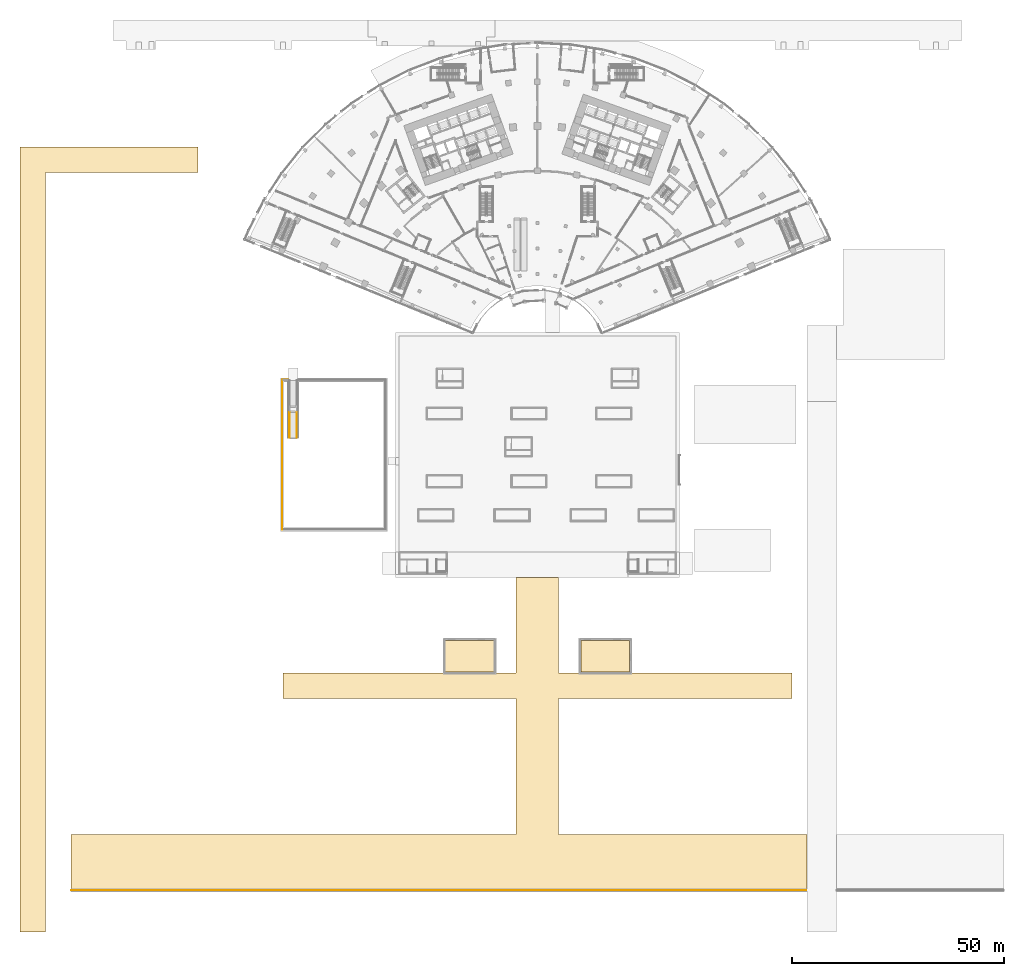
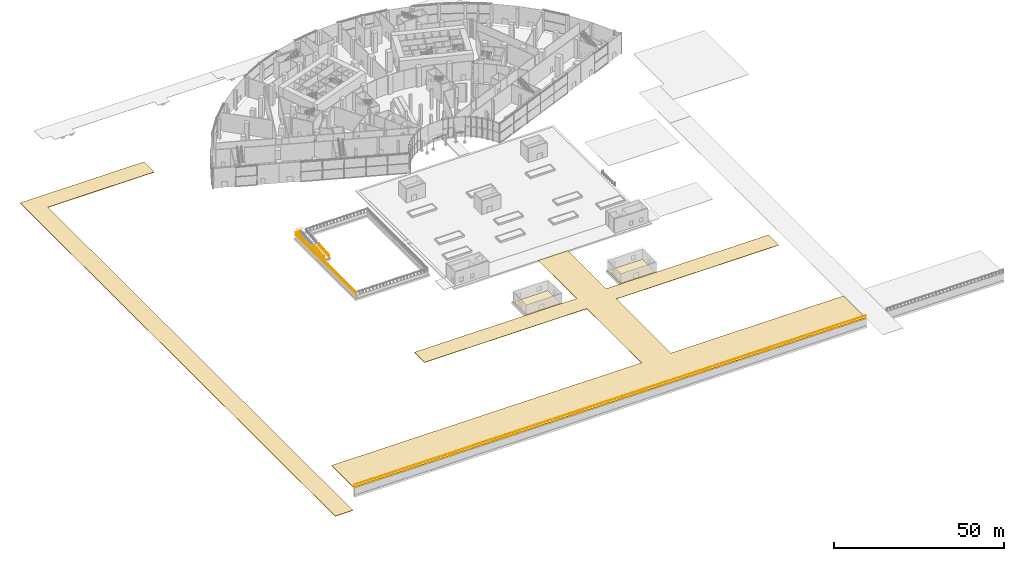
# One storey, part 42 of 60: 6 railings, 4 coverings.
"""IFC4 building model written with IfcOpenShell, lengths in metres."""

from ifc_helpers import new_model, si_unit, direction, frame, origin, origin_2d, place, context, subcontext, project, spatial, polyline, circle, outline, extrude, material, layer, layer_set, type_object, element, save


model = new_model("IFC4")

# Units and contexts
model_context = context("Model", 3, precision=1e-05, world=origin(), true_north=direction((0.0, 1.0)))
body_context = subcontext(model_context, "Body", "Model", "MODEL_VIEW")
ifc_project = project(units=[si_unit("LENGTHUNIT", "METRE"), si_unit("AREAUNIT", "SQUARE_METRE"), si_unit("VOLUMEUNIT", "CUBIC_METRE"), si_unit("PLANEANGLEUNIT", "RADIAN"), si_unit("MASSUNIT", "GRAM", prefix="KILO")], contexts=[model_context])

# Site, building, storey
site_placement = place(None, origin())
site = spatial("IfcSite", under=ifc_project, at=site_placement, CompositionType="ELEMENT")
building_placement = place(site_placement, origin())
building = spatial("IfcBuilding", under=site, at=building_placement, Name="Stone Belt Terrace Tower", CompositionType="ELEMENT")
storey_placement = place(building_placement, origin())
storey = spatial("IfcBuildingStorey", under=building, at=storey_placement, Name="L00", CompositionType="ELEMENT", Elevation=0.0)

# Railings
ifc_material_1 = material(Name="Structural steel C345", Category="steel")
railing_type_1 = type_object("IfcRailingType", Name="Garden guard 1100", PredefinedType="GUARDRAIL", material=ifc_material_1)
for number, where, name in (
    (1, (-58.449951171875, -12.5, -0.5), "Rain garden court ramp guard"),
    (2, (-56.75, -12.5, -0.5), "Rain garden court ramp guard"),
):
    element("IfcRailing", number, at=place(storey_placement, frame(where)), inside=storey, type_object=railing_type_1, Name=name, PredefinedType="GUARDRAIL", context=body_context, shape_type="SweptSolid", body=[
        extrude(circle(Radius=0.02392578125, at=origin_2d()), frame((0.0, 0.0, 1.076171875), z_axis=(0.0, -0.996545758245, -0.083045479854), x_axis=(1.0, 0.0, 0.0)), (0.0, 0.0, 1.0), 6.020751953125),
        extrude(circle(Radius=0.02099609375, at=origin_2d()), origin(), (0.0, 0.0, 1.0), 1.052001953125),
        extrude(circle(Radius=0.02099609375, at=origin_2d()), frame((0.0, -1.0, -0.083251953125)), (0.0, 0.0, 1.0), 1.052001953125),
        extrude(circle(Radius=0.02099609375, at=origin_2d()), frame((0.0, -2.0, -0.166748046875)), (0.0, 0.0, 1.0), 1.052001953125),
        extrude(circle(Radius=0.02099609375, at=origin_2d()), frame((0.0, -3.0, -0.25)), (0.0, 0.0, 1.0), 1.052001953125),
        extrude(circle(Radius=0.02099609375, at=origin_2d()), frame((0.0, -4.0, -0.333251953125)), (0.0, 0.0, 1.0), 1.052001953125),
        extrude(circle(Radius=0.02099609375, at=origin_2d()), frame((0.0, -5.0, -0.416748046875)), (0.0, 0.0, 1.0), 1.052001953125),
        extrude(circle(Radius=0.02099609375, at=origin_2d()), frame((0.0, -6.0, -0.5)), (0.0, 0.0, 1.0), 1.052001953125),
    ])
railing_1_placement = place(storey_placement, frame((-58.800048828125, -4.85009765625, 0.0)))
element("IfcRailing", 3, at=railing_1_placement, inside=storey, type_object=railing_type_1, Name="Rain garden court guard", PredefinedType="GUARDRAIL", context=body_context, shape_type="SweptSolid", body=[
    extrude(circle(Radius=0.02392578125, at=origin_2d()), frame((0.0, 0.0, 1.076171875), z_axis=(-1.0, 0.0, 0.0), x_axis=(0.0, -1.0, 0.0)), (0.0, 0.0, 1.0), 1.349853515625),
    extrude(circle(Radius=0.02392578125, at=origin_2d()), frame((-1.349853515625, 0.0, 1.076171875), z_axis=(0.0, -1.0, 0.0), x_axis=(1.0, 0.0, 0.0)), (0.0, 0.0, 1.0), 35.2998046875),
    extrude(circle(Radius=0.02099609375, at=origin_2d()), origin(), (0.0, 0.0, 1.0), 1.052001953125),
    extrude(circle(Radius=0.02099609375, at=origin_2d()), frame((-0.6748046875, 0.0, 0.0)), (0.0, 0.0, 1.0), 1.052001953125),
    extrude(circle(Radius=0.02099609375, at=origin_2d()), frame((-1.349853515625, 0.0, 0.0)), (0.0, 0.0, 1.0), 1.052001953125),
    extrude(circle(Radius=0.02099609375, at=origin_2d()), frame((-1.349853515625, -1.1767578125, 0.0)), (0.0, 0.0, 1.0), 1.052001953125),
    extrude(circle(Radius=0.02099609375, at=origin_2d()), frame((-1.349853515625, -2.353271484375, 0.0)), (0.0, 0.0, 1.0), 1.052001953125),
    extrude(circle(Radius=0.02099609375, at=origin_2d()), frame((-1.349853515625, -3.530029296875, 0.0)), (0.0, 0.0, 1.0), 1.052001953125),
    extrude(circle(Radius=0.02099609375, at=origin_2d()), frame((-1.349853515625, -4.70654296875, 0.0)), (0.0, 0.0, 1.0), 1.052001953125),
    extrude(circle(Radius=0.02099609375, at=origin_2d()), frame((-1.349853515625, -5.88330078125, 0.0)), (0.0, 0.0, 1.0), 1.052001953125),
    extrude(circle(Radius=0.02099609375, at=origin_2d()), frame((-1.349853515625, -7.06005859375, 0.0)), (0.0, 0.0, 1.0), 1.052001953125),
    extrude(circle(Radius=0.02099609375, at=origin_2d()), frame((-1.349853515625, -8.236572265625, 0.0)), (0.0, 0.0, 1.0), 1.052001953125),
    extrude(circle(Radius=0.02099609375, at=origin_2d()), frame((-1.349853515625, -9.413330078125, 0.0)), (0.0, 0.0, 1.0), 1.052001953125),
    extrude(circle(Radius=0.02099609375, at=origin_2d()), frame((-1.349853515625, -10.58984375, 0.0)), (0.0, 0.0, 1.0), 1.052001953125),
    extrude(circle(Radius=0.02099609375, at=origin_2d()), frame((-1.349853515625, -11.7666015625, 0.0)), (0.0, 0.0, 1.0), 1.052001953125),
    extrude(circle(Radius=0.02099609375, at=origin_2d()), frame((-1.349853515625, -12.943359375, 0.0)), (0.0, 0.0, 1.0), 1.052001953125),
    extrude(circle(Radius=0.02099609375, at=origin_2d()), frame((-1.349853515625, -14.119873046875, 0.0)), (0.0, 0.0, 1.0), 1.052001953125),
    extrude(circle(Radius=0.02099609375, at=origin_2d()), frame((-1.349853515625, -15.296630859375, 0.0)), (0.0, 0.0, 1.0), 1.052001953125),
    extrude(circle(Radius=0.02099609375, at=origin_2d()), frame((-1.349853515625, -16.47314453125, 0.0)), (0.0, 0.0, 1.0), 1.052001953125),
    extrude(circle(Radius=0.02099609375, at=origin_2d()), frame((-1.349853515625, -17.64990234375, 0.0)), (0.0, 0.0, 1.0), 1.052001953125),
    extrude(circle(Radius=0.02099609375, at=origin_2d()), frame((-1.349853515625, -18.82666015625, 0.0)), (0.0, 0.0, 1.0), 1.052001953125),
    extrude(circle(Radius=0.02099609375, at=origin_2d()), frame((-1.349853515625, -20.003173828125, 0.0)), (0.0, 0.0, 1.0), 1.052001953125),
    extrude(circle(Radius=0.02099609375, at=origin_2d()), frame((-1.349853515625, -21.179931640625, 0.0)), (0.0, 0.0, 1.0), 1.052001953125),
    extrude(circle(Radius=0.02099609375, at=origin_2d()), frame((-1.349853515625, -22.3564453125, 0.0)), (0.0, 0.0, 1.0), 1.052001953125),
    extrude(circle(Radius=0.02099609375, at=origin_2d()), frame((-1.349853515625, -23.533203125, 0.0)), (0.0, 0.0, 1.0), 1.052001953125),
    extrude(circle(Radius=0.02099609375, at=origin_2d()), frame((-1.349853515625, -24.7099609375, 0.0)), (0.0, 0.0, 1.0), 1.052001953125),
    extrude(circle(Radius=0.02099609375, at=origin_2d()), frame((-1.349853515625, -25.886474609375, 0.0)), (0.0, 0.0, 1.0), 1.052001953125),
    extrude(circle(Radius=0.02099609375, at=origin_2d()), frame((-1.349853515625, -27.063232421875, 0.0)), (0.0, 0.0, 1.0), 1.052001953125),
    extrude(circle(Radius=0.02099609375, at=origin_2d()), frame((-1.349853515625, -28.23974609375, 0.0)), (0.0, 0.0, 1.0), 1.052001953125),
    extrude(circle(Radius=0.02099609375, at=origin_2d()), frame((-1.349853515625, -29.41650390625, 0.0)), (0.0, 0.0, 1.0), 1.052001953125),
    extrude(circle(Radius=0.02099609375, at=origin_2d()), frame((-1.349853515625, -30.59326171875, 0.0)), (0.0, 0.0, 1.0), 1.052001953125),
    extrude(circle(Radius=0.02099609375, at=origin_2d()), frame((-1.349853515625, -31.769775390625, 0.0)), (0.0, 0.0, 1.0), 1.052001953125),
    extrude(circle(Radius=0.02099609375, at=origin_2d()), frame((-1.349853515625, -32.946533203125, 0.0)), (0.0, 0.0, 1.0), 1.052001953125),
    extrude(circle(Radius=0.02099609375, at=origin_2d()), frame((-1.349853515625, -34.123046875, 0.0)), (0.0, 0.0, 1.0), 1.052001953125),
    extrude(circle(Radius=0.02099609375, at=origin_2d()), frame((-1.349853515625, -35.2998046875, 0.0)), (0.0, 0.0, 1.0), 1.052001953125),
])
railing_2_placement = place(storey_placement, frame((-109.89990234375, -125.199951171875, 0.0)))
element("IfcRailing", 4, at=railing_2_placement, inside=storey, type_object=railing_type_1, Name="Embankment promenade guard", PredefinedType="GUARDRAIL", context=body_context, shape_type="SweptSolid", body=[
    extrude(circle(Radius=0.02392578125, at=origin_2d()), frame((0.0, 0.0, 1.076171875), z_axis=(1.0, 0.0, 0.0), x_axis=(0.0, 1.0, 0.0)), (0.0, 0.0, 1.0), 173.2998046875),
    extrude(circle(Radius=0.02099609375, at=origin_2d()), origin(), (0.0, 0.0, 1.0), 1.052001953125),
    extrude(circle(Radius=0.02099609375, at=origin_2d()), frame((1.195068359375, 0.0, 0.0)), (0.0, 0.0, 1.0), 1.052001953125),
    extrude(circle(Radius=0.02099609375, at=origin_2d()), frame((2.390380859375, 0.0, 0.0)), (0.0, 0.0, 1.0), 1.052001953125),
    extrude(circle(Radius=0.02099609375, at=origin_2d()), frame((3.58544921875, 0.0, 0.0)), (0.0, 0.0, 1.0), 1.052001953125),
    extrude(circle(Radius=0.02099609375, at=origin_2d()), frame((4.78076171875, 0.0, 0.0)), (0.0, 0.0, 1.0), 1.052001953125),
    extrude(circle(Radius=0.02099609375, at=origin_2d()), frame((5.975830078125, 0.0, 0.0)), (0.0, 0.0, 1.0), 1.052001953125),
    extrude(circle(Radius=0.02099609375, at=origin_2d()), frame((7.171142578125, 0.0, 0.0)), (0.0, 0.0, 1.0), 1.052001953125),
    extrude(circle(Radius=0.02099609375, at=origin_2d()), frame((8.3662109375, 0.0, 0.0)), (0.0, 0.0, 1.0), 1.052001953125),
    extrude(circle(Radius=0.02099609375, at=origin_2d()), frame((9.561279296875, 0.0, 0.0)), (0.0, 0.0, 1.0), 1.052001953125),
    extrude(circle(Radius=0.02099609375, at=origin_2d()), frame((10.756591796875, 0.0, 0.0)), (0.0, 0.0, 1.0), 1.052001953125),
    extrude(circle(Radius=0.02099609375, at=origin_2d()), frame((11.95166015625, 0.0, 0.0)), (0.0, 0.0, 1.0), 1.052001953125),
    extrude(circle(Radius=0.02099609375, at=origin_2d()), frame((13.14697265625, 0.0, 0.0)), (0.0, 0.0, 1.0), 1.052001953125),
    extrude(circle(Radius=0.02099609375, at=origin_2d()), frame((14.342041015625, 0.0, 0.0)), (0.0, 0.0, 1.0), 1.052001953125),
    extrude(circle(Radius=0.02099609375, at=origin_2d()), frame((15.537109375, 0.0, 0.0)), (0.0, 0.0, 1.0), 1.052001953125),
    extrude(circle(Radius=0.02099609375, at=origin_2d()), frame((16.732421875, 0.0, 0.0)), (0.0, 0.0, 1.0), 1.052001953125),
    extrude(circle(Radius=0.02099609375, at=origin_2d()), frame((17.927490234375, 0.0, 0.0)), (0.0, 0.0, 1.0), 1.052001953125),
    extrude(circle(Radius=0.02099609375, at=origin_2d()), frame((19.122802734375, 0.0, 0.0)), (0.0, 0.0, 1.0), 1.052001953125),
    extrude(circle(Radius=0.02099609375, at=origin_2d()), frame((20.31787109375, 0.0, 0.0)), (0.0, 0.0, 1.0), 1.052001953125),
    extrude(circle(Radius=0.02099609375, at=origin_2d()), frame((21.51318359375, 0.0, 0.0)), (0.0, 0.0, 1.0), 1.052001953125),
    extrude(circle(Radius=0.02099609375, at=origin_2d()), frame((22.708251953125, 0.0, 0.0)), (0.0, 0.0, 1.0), 1.052001953125),
    extrude(circle(Radius=0.02099609375, at=origin_2d()), frame((23.9033203125, 0.0, 0.0)), (0.0, 0.0, 1.0), 1.052001953125),
    extrude(circle(Radius=0.02099609375, at=origin_2d()), frame((25.0986328125, 0.0, 0.0)), (0.0, 0.0, 1.0), 1.052001953125),
    extrude(circle(Radius=0.02099609375, at=origin_2d()), frame((26.293701171875, 0.0, 0.0)), (0.0, 0.0, 1.0), 1.052001953125),
    extrude(circle(Radius=0.02099609375, at=origin_2d()), frame((27.489013671875, 0.0, 0.0)), (0.0, 0.0, 1.0), 1.052001953125),
    extrude(circle(Radius=0.02099609375, at=origin_2d()), frame((28.68408203125, 0.0, 0.0)), (0.0, 0.0, 1.0), 1.052001953125),
    extrude(circle(Radius=0.02099609375, at=origin_2d()), frame((29.87939453125, 0.0, 0.0)), (0.0, 0.0, 1.0), 1.052001953125),
    extrude(circle(Radius=0.02099609375, at=origin_2d()), frame((31.074462890625, 0.0, 0.0)), (0.0, 0.0, 1.0), 1.052001953125),
    extrude(circle(Radius=0.02099609375, at=origin_2d()), frame((32.26953125, 0.0, 0.0)), (0.0, 0.0, 1.0), 1.052001953125),
    extrude(circle(Radius=0.02099609375, at=origin_2d()), frame((33.46484375, 0.0, 0.0)), (0.0, 0.0, 1.0), 1.052001953125),
    extrude(circle(Radius=0.02099609375, at=origin_2d()), frame((34.659912109375, 0.0, 0.0)), (0.0, 0.0, 1.0), 1.052001953125),
    extrude(circle(Radius=0.02099609375, at=origin_2d()), frame((35.855224609375, 0.0, 0.0)), (0.0, 0.0, 1.0), 1.052001953125),
    extrude(circle(Radius=0.02099609375, at=origin_2d()), frame((37.05029296875, 0.0, 0.0)), (0.0, 0.0, 1.0), 1.052001953125),
    extrude(circle(Radius=0.02099609375, at=origin_2d()), frame((38.245361328125, 0.0, 0.0)), (0.0, 0.0, 1.0), 1.052001953125),
    extrude(circle(Radius=0.02099609375, at=origin_2d()), frame((39.440673828125, 0.0, 0.0)), (0.0, 0.0, 1.0), 1.052001953125),
    extrude(circle(Radius=0.02099609375, at=origin_2d()), frame((40.6357421875, 0.0, 0.0)), (0.0, 0.0, 1.0), 1.052001953125),
    extrude(circle(Radius=0.02099609375, at=origin_2d()), frame((41.8310546875, 0.0, 0.0)), (0.0, 0.0, 1.0), 1.052001953125),
    extrude(circle(Radius=0.02099609375, at=origin_2d()), frame((43.026123046875, 0.0, 0.0)), (0.0, 0.0, 1.0), 1.052001953125),
    extrude(circle(Radius=0.02099609375, at=origin_2d()), frame((44.221435546875, 0.0, 0.0)), (0.0, 0.0, 1.0), 1.052001953125),
    extrude(circle(Radius=0.02099609375, at=origin_2d()), frame((45.41650390625, 0.0, 0.0)), (0.0, 0.0, 1.0), 1.052001953125),
    extrude(circle(Radius=0.02099609375, at=origin_2d()), frame((46.611572265625, 0.0, 0.0)), (0.0, 0.0, 1.0), 1.052001953125),
    extrude(circle(Radius=0.02099609375, at=origin_2d()), frame((47.806884765625, 0.0, 0.0)), (0.0, 0.0, 1.0), 1.052001953125),
    extrude(circle(Radius=0.02099609375, at=origin_2d()), frame((49.001953125, 0.0, 0.0)), (0.0, 0.0, 1.0), 1.052001953125),
    extrude(circle(Radius=0.02099609375, at=origin_2d()), frame((50.197265625, 0.0, 0.0)), (0.0, 0.0, 1.0), 1.052001953125),
    extrude(circle(Radius=0.02099609375, at=origin_2d()), frame((51.392333984375, 0.0, 0.0)), (0.0, 0.0, 1.0), 1.052001953125),
    extrude(circle(Radius=0.02099609375, at=origin_2d()), frame((52.587646484375, 0.0, 0.0)), (0.0, 0.0, 1.0), 1.052001953125),
    extrude(circle(Radius=0.02099609375, at=origin_2d()), frame((53.78271484375, 0.0, 0.0)), (0.0, 0.0, 1.0), 1.052001953125),
    extrude(circle(Radius=0.02099609375, at=origin_2d()), frame((54.977783203125, 0.0, 0.0)), (0.0, 0.0, 1.0), 1.052001953125),
    extrude(circle(Radius=0.02099609375, at=origin_2d()), frame((56.173095703125, 0.0, 0.0)), (0.0, 0.0, 1.0), 1.052001953125),
    extrude(circle(Radius=0.02099609375, at=origin_2d()), frame((57.3681640625, 0.0, 0.0)), (0.0, 0.0, 1.0), 1.052001953125),
    extrude(circle(Radius=0.02099609375, at=origin_2d()), frame((58.5634765625, 0.0, 0.0)), (0.0, 0.0, 1.0), 1.052001953125),
    extrude(circle(Radius=0.02099609375, at=origin_2d()), frame((59.758544921875, 0.0, 0.0)), (0.0, 0.0, 1.0), 1.052001953125),
    extrude(circle(Radius=0.02099609375, at=origin_2d()), frame((60.95361328125, 0.0, 0.0)), (0.0, 0.0, 1.0), 1.052001953125),
    extrude(circle(Radius=0.02099609375, at=origin_2d()), frame((62.14892578125, 0.0, 0.0)), (0.0, 0.0, 1.0), 1.052001953125),
    extrude(circle(Radius=0.02099609375, at=origin_2d()), frame((63.343994140625, 0.0, 0.0)), (0.0, 0.0, 1.0), 1.052001953125),
    extrude(circle(Radius=0.02099609375, at=origin_2d()), frame((64.539306640625, 0.0, 0.0)), (0.0, 0.0, 1.0), 1.052001953125),
    extrude(circle(Radius=0.02099609375, at=origin_2d()), frame((65.734375, 0.0, 0.0)), (0.0, 0.0, 1.0), 1.052001953125),
    extrude(circle(Radius=0.02099609375, at=origin_2d()), frame((66.9296875, 0.0, 0.0)), (0.0, 0.0, 1.0), 1.052001953125),
    extrude(circle(Radius=0.02099609375, at=origin_2d()), frame((68.124755859375, 0.0, 0.0)), (0.0, 0.0, 1.0), 1.052001953125),
    extrude(circle(Radius=0.02099609375, at=origin_2d()), frame((69.31982421875, 0.0, 0.0)), (0.0, 0.0, 1.0), 1.052001953125),
    extrude(circle(Radius=0.02099609375, at=origin_2d()), frame((70.51513671875, 0.0, 0.0)), (0.0, 0.0, 1.0), 1.052001953125),
    extrude(circle(Radius=0.02099609375, at=origin_2d()), frame((71.710205078125, 0.0, 0.0)), (0.0, 0.0, 1.0), 1.052001953125),
    extrude(circle(Radius=0.02099609375, at=origin_2d()), frame((72.905517578125, 0.0, 0.0)), (0.0, 0.0, 1.0), 1.052001953125),
    extrude(circle(Radius=0.02099609375, at=origin_2d()), frame((74.1005859375, 0.0, 0.0)), (0.0, 0.0, 1.0), 1.052001953125),
    extrude(circle(Radius=0.02099609375, at=origin_2d()), frame((75.2958984375, 0.0, 0.0)), (0.0, 0.0, 1.0), 1.052001953125),
    extrude(circle(Radius=0.02099609375, at=origin_2d()), frame((76.490966796875, 0.0, 0.0)), (0.0, 0.0, 1.0), 1.052001953125),
    extrude(circle(Radius=0.02099609375, at=origin_2d()), frame((77.68603515625, 0.0, 0.0)), (0.0, 0.0, 1.0), 1.052001953125),
    extrude(circle(Radius=0.02099609375, at=origin_2d()), frame((78.88134765625, 0.0, 0.0)), (0.0, 0.0, 1.0), 1.052001953125),
    extrude(circle(Radius=0.02099609375, at=origin_2d()), frame((80.076416015625, 0.0, 0.0)), (0.0, 0.0, 1.0), 1.052001953125),
    extrude(circle(Radius=0.02099609375, at=origin_2d()), frame((81.271728515625, 0.0, 0.0)), (0.0, 0.0, 1.0), 1.052001953125),
    extrude(circle(Radius=0.02099609375, at=origin_2d()), frame((82.466796875, 0.0, 0.0)), (0.0, 0.0, 1.0), 1.052001953125),
    extrude(circle(Radius=0.02099609375, at=origin_2d()), frame((83.661865234375, 0.0, 0.0)), (0.0, 0.0, 1.0), 1.052001953125),
    extrude(circle(Radius=0.02099609375, at=origin_2d()), frame((84.857177734375, 0.0, 0.0)), (0.0, 0.0, 1.0), 1.052001953125),
    extrude(circle(Radius=0.02099609375, at=origin_2d()), frame((86.05224609375, 0.0, 0.0)), (0.0, 0.0, 1.0), 1.052001953125),
    extrude(circle(Radius=0.02099609375, at=origin_2d()), frame((87.24755859375, 0.0, 0.0)), (0.0, 0.0, 1.0), 1.052001953125),
    extrude(circle(Radius=0.02099609375, at=origin_2d()), frame((88.442626953125, 0.0, 0.0)), (0.0, 0.0, 1.0), 1.052001953125),
    extrude(circle(Radius=0.02099609375, at=origin_2d()), frame((89.637939453125, 0.0, 0.0)), (0.0, 0.0, 1.0), 1.052001953125),
    extrude(circle(Radius=0.02099609375, at=origin_2d()), frame((90.8330078125, 0.0, 0.0)), (0.0, 0.0, 1.0), 1.052001953125),
    extrude(circle(Radius=0.02099609375, at=origin_2d()), frame((92.028076171875, 0.0, 0.0)), (0.0, 0.0, 1.0), 1.052001953125),
    extrude(circle(Radius=0.02099609375, at=origin_2d()), frame((93.223388671875, 0.0, 0.0)), (0.0, 0.0, 1.0), 1.052001953125),
    extrude(circle(Radius=0.02099609375, at=origin_2d()), frame((94.41845703125, 0.0, 0.0)), (0.0, 0.0, 1.0), 1.052001953125),
    extrude(circle(Radius=0.02099609375, at=origin_2d()), frame((95.61376953125, 0.0, 0.0)), (0.0, 0.0, 1.0), 1.052001953125),
    extrude(circle(Radius=0.02099609375, at=origin_2d()), frame((96.808837890625, 0.0, 0.0)), (0.0, 0.0, 1.0), 1.052001953125),
    extrude(circle(Radius=0.02099609375, at=origin_2d()), frame((98.00390625, 0.0, 0.0)), (0.0, 0.0, 1.0), 1.052001953125),
    extrude(circle(Radius=0.02099609375, at=origin_2d()), frame((99.19921875, 0.0, 0.0)), (0.0, 0.0, 1.0), 1.052001953125),
    extrude(circle(Radius=0.02099609375, at=origin_2d()), frame((100.394287109375, 0.0, 0.0)), (0.0, 0.0, 1.0), 1.052001953125),
    extrude(circle(Radius=0.02099609375, at=origin_2d()), frame((101.589599609375, 0.0, 0.0)), (0.0, 0.0, 1.0), 1.052001953125),
    extrude(circle(Radius=0.02099609375, at=origin_2d()), frame((102.78466796875, 0.0, 0.0)), (0.0, 0.0, 1.0), 1.052001953125),
    extrude(circle(Radius=0.02099609375, at=origin_2d()), frame((103.97998046875, 0.0, 0.0)), (0.0, 0.0, 1.0), 1.052001953125),
    extrude(circle(Radius=0.02099609375, at=origin_2d()), frame((105.175048828125, 0.0, 0.0)), (0.0, 0.0, 1.0), 1.052001953125),
    extrude(circle(Radius=0.02099609375, at=origin_2d()), frame((106.3701171875, 0.0, 0.0)), (0.0, 0.0, 1.0), 1.052001953125),
    extrude(circle(Radius=0.02099609375, at=origin_2d()), frame((107.5654296875, 0.0, 0.0)), (0.0, 0.0, 1.0), 1.052001953125),
    extrude(circle(Radius=0.02099609375, at=origin_2d()), frame((108.760498046875, 0.0, 0.0)), (0.0, 0.0, 1.0), 1.052001953125),
    extrude(circle(Radius=0.02099609375, at=origin_2d()), frame((109.955810546875, 0.0, 0.0)), (0.0, 0.0, 1.0), 1.052001953125),
    extrude(circle(Radius=0.02099609375, at=origin_2d()), frame((111.15087890625, 0.0, 0.0)), (0.0, 0.0, 1.0), 1.052001953125),
    extrude(circle(Radius=0.02099609375, at=origin_2d()), frame((112.34619140625, 0.0, 0.0)), (0.0, 0.0, 1.0), 1.052001953125),
    extrude(circle(Radius=0.02099609375, at=origin_2d()), frame((113.541259765625, 0.0, 0.0)), (0.0, 0.0, 1.0), 1.052001953125),
    extrude(circle(Radius=0.02099609375, at=origin_2d()), frame((114.736328125, 0.0, 0.0)), (0.0, 0.0, 1.0), 1.052001953125),
    extrude(circle(Radius=0.02099609375, at=origin_2d()), frame((115.931640625, 0.0, 0.0)), (0.0, 0.0, 1.0), 1.052001953125),
    extrude(circle(Radius=0.02099609375, at=origin_2d()), frame((117.126708984375, 0.0, 0.0)), (0.0, 0.0, 1.0), 1.052001953125),
    extrude(circle(Radius=0.02099609375, at=origin_2d()), frame((118.322021484375, 0.0, 0.0)), (0.0, 0.0, 1.0), 1.052001953125),
    extrude(circle(Radius=0.02099609375, at=origin_2d()), frame((119.51708984375, 0.0, 0.0)), (0.0, 0.0, 1.0), 1.052001953125),
    extrude(circle(Radius=0.02099609375, at=origin_2d()), frame((120.712158203125, 0.0, 0.0)), (0.0, 0.0, 1.0), 1.052001953125),
    extrude(circle(Radius=0.02099609375, at=origin_2d()), frame((121.907470703125, 0.0, 0.0)), (0.0, 0.0, 1.0), 1.052001953125),
    extrude(circle(Radius=0.02099609375, at=origin_2d()), frame((123.1025390625, 0.0, 0.0)), (0.0, 0.0, 1.0), 1.052001953125),
    extrude(circle(Radius=0.02099609375, at=origin_2d()), frame((124.2978515625, 0.0, 0.0)), (0.0, 0.0, 1.0), 1.052001953125),
    extrude(circle(Radius=0.02099609375, at=origin_2d()), frame((125.492919921875, 0.0, 0.0)), (0.0, 0.0, 1.0), 1.052001953125),
    extrude(circle(Radius=0.02099609375, at=origin_2d()), frame((126.688232421875, 0.0, 0.0)), (0.0, 0.0, 1.0), 1.052001953125),
    extrude(circle(Radius=0.02099609375, at=origin_2d()), frame((127.88330078125, 0.0, 0.0)), (0.0, 0.0, 1.0), 1.052001953125),
    extrude(circle(Radius=0.02099609375, at=origin_2d()), frame((129.078369140625, 0.0, 0.0)), (0.0, 0.0, 1.0), 1.052001953125),
    extrude(circle(Radius=0.02099609375, at=origin_2d()), frame((130.273681640625, 0.0, 0.0)), (0.0, 0.0, 1.0), 1.052001953125),
    extrude(circle(Radius=0.02099609375, at=origin_2d()), frame((131.46875, 0.0, 0.0)), (0.0, 0.0, 1.0), 1.052001953125),
    extrude(circle(Radius=0.02099609375, at=origin_2d()), frame((132.6640625, 0.0, 0.0)), (0.0, 0.0, 1.0), 1.052001953125),
    extrude(circle(Radius=0.02099609375, at=origin_2d()), frame((133.859130859375, 0.0, 0.0)), (0.0, 0.0, 1.0), 1.052001953125),
    extrude(circle(Radius=0.02099609375, at=origin_2d()), frame((135.054443359375, 0.0, 0.0)), (0.0, 0.0, 1.0), 1.052001953125),
    extrude(circle(Radius=0.02099609375, at=origin_2d()), frame((136.24951171875, 0.0, 0.0)), (0.0, 0.0, 1.0), 1.052001953125),
    extrude(circle(Radius=0.02099609375, at=origin_2d()), frame((137.444580078125, 0.0, 0.0)), (0.0, 0.0, 1.0), 1.052001953125),
    extrude(circle(Radius=0.02099609375, at=origin_2d()), frame((138.639892578125, 0.0, 0.0)), (0.0, 0.0, 1.0), 1.052001953125),
    extrude(circle(Radius=0.02099609375, at=origin_2d()), frame((139.8349609375, 0.0, 0.0)), (0.0, 0.0, 1.0), 1.052001953125),
    extrude(circle(Radius=0.02099609375, at=origin_2d()), frame((141.0302734375, 0.0, 0.0)), (0.0, 0.0, 1.0), 1.052001953125),
    extrude(circle(Radius=0.02099609375, at=origin_2d()), frame((142.225341796875, 0.0, 0.0)), (0.0, 0.0, 1.0), 1.052001953125),
    extrude(circle(Radius=0.02099609375, at=origin_2d()), frame((143.42041015625, 0.0, 0.0)), (0.0, 0.0, 1.0), 1.052001953125),
    extrude(circle(Radius=0.02099609375, at=origin_2d()), frame((144.61572265625, 0.0, 0.0)), (0.0, 0.0, 1.0), 1.052001953125),
    extrude(circle(Radius=0.02099609375, at=origin_2d()), frame((145.810791015625, 0.0, 0.0)), (0.0, 0.0, 1.0), 1.052001953125),
    extrude(circle(Radius=0.02099609375, at=origin_2d()), frame((147.006103515625, 0.0, 0.0)), (0.0, 0.0, 1.0), 1.052001953125),
    extrude(circle(Radius=0.02099609375, at=origin_2d()), frame((148.201171875, 0.0, 0.0)), (0.0, 0.0, 1.0), 1.052001953125),
    extrude(circle(Radius=0.02099609375, at=origin_2d()), frame((149.396484375, 0.0, 0.0)), (0.0, 0.0, 1.0), 1.052001953125),
    extrude(circle(Radius=0.02099609375, at=origin_2d()), frame((150.591552734375, 0.0, 0.0)), (0.0, 0.0, 1.0), 1.052001953125),
    extrude(circle(Radius=0.02099609375, at=origin_2d()), frame((151.78662109375, 0.0, 0.0)), (0.0, 0.0, 1.0), 1.052001953125),
    extrude(circle(Radius=0.02099609375, at=origin_2d()), frame((152.98193359375, 0.0, 0.0)), (0.0, 0.0, 1.0), 1.052001953125),
    extrude(circle(Radius=0.02099609375, at=origin_2d()), frame((154.177001953125, 0.0, 0.0)), (0.0, 0.0, 1.0), 1.052001953125),
    extrude(circle(Radius=0.02099609375, at=origin_2d()), frame((155.372314453125, 0.0, 0.0)), (0.0, 0.0, 1.0), 1.052001953125),
    extrude(circle(Radius=0.02099609375, at=origin_2d()), frame((156.5673828125, 0.0, 0.0)), (0.0, 0.0, 1.0), 1.052001953125),
    extrude(circle(Radius=0.02099609375, at=origin_2d()), frame((157.7626953125, 0.0, 0.0)), (0.0, 0.0, 1.0), 1.052001953125),
    extrude(circle(Radius=0.02099609375, at=origin_2d()), frame((158.957763671875, 0.0, 0.0)), (0.0, 0.0, 1.0), 1.052001953125),
    extrude(circle(Radius=0.02099609375, at=origin_2d()), frame((160.15283203125, 0.0, 0.0)), (0.0, 0.0, 1.0), 1.052001953125),
    extrude(circle(Radius=0.02099609375, at=origin_2d()), frame((161.34814453125, 0.0, 0.0)), (0.0, 0.0, 1.0), 1.052001953125),
    extrude(circle(Radius=0.02099609375, at=origin_2d()), frame((162.543212890625, 0.0, 0.0)), (0.0, 0.0, 1.0), 1.052001953125),
    extrude(circle(Radius=0.02099609375, at=origin_2d()), frame((163.738525390625, 0.0, 0.0)), (0.0, 0.0, 1.0), 1.052001953125),
    extrude(circle(Radius=0.02099609375, at=origin_2d()), frame((164.93359375, 0.0, 0.0)), (0.0, 0.0, 1.0), 1.052001953125),
    extrude(circle(Radius=0.02099609375, at=origin_2d()), frame((166.128662109375, 0.0, 0.0)), (0.0, 0.0, 1.0), 1.052001953125),
    extrude(circle(Radius=0.02099609375, at=origin_2d()), frame((167.323974609375, 0.0, 0.0)), (0.0, 0.0, 1.0), 1.052001953125),
    extrude(circle(Radius=0.02099609375, at=origin_2d()), frame((168.51904296875, 0.0, 0.0)), (0.0, 0.0, 1.0), 1.052001953125),
    extrude(circle(Radius=0.02099609375, at=origin_2d()), frame((169.71435546875, 0.0, 0.0)), (0.0, 0.0, 1.0), 1.052001953125),
    extrude(circle(Radius=0.02099609375, at=origin_2d()), frame((170.909423828125, 0.0, 0.0)), (0.0, 0.0, 1.0), 1.052001953125),
    extrude(circle(Radius=0.02099609375, at=origin_2d()), frame((172.104736328125, 0.0, 0.0)), (0.0, 0.0, 1.0), 1.052001953125),
    extrude(circle(Radius=0.02099609375, at=origin_2d()), frame((173.2998046875, 0.0, 0.0)), (0.0, 0.0, 1.0), 1.052001953125),
])
ifc_material_2 = material(Name="Stainless steel", Category="steel")
railing_type_2 = type_object("IfcRailingType", Name="Garden handrail 900", PredefinedType="HANDRAIL", material=ifc_material_2)
for number, where, name in (
    (5, (-58.449951171875, -12.5, -0.5), "Rain garden court ramp handrail"),
    (6, (-56.75, -12.5, -0.5), "Rain garden court ramp handrail"),
):
    element("IfcRailing", number, at=place(storey_placement, frame(where)), inside=storey, type_object=railing_type_2, Name=name, PredefinedType="HANDRAIL", context=body_context, shape_type="SweptSolid", body=[
        extrude(circle(Radius=0.02392578125, at=origin_2d()), frame((0.0, 0.0, 0.8759765625), z_axis=(0.0, -0.996545758245, -0.083045479854), x_axis=(1.0, 0.0, 0.0)), (0.0, 0.0, 1.0), 6.020751953125),
        extrude(circle(Radius=0.02099609375, at=origin_2d()), origin(), (0.0, 0.0, 1.0), 0.851806640625),
        extrude(circle(Radius=0.02099609375, at=origin_2d()), frame((0.0, -1.0, -0.083251953125)), (0.0, 0.0, 1.0), 0.851806640625),
        extrude(circle(Radius=0.02099609375, at=origin_2d()), frame((0.0, -2.0, -0.166748046875)), (0.0, 0.0, 1.0), 0.851806640625),
        extrude(circle(Radius=0.02099609375, at=origin_2d()), frame((0.0, -3.0, -0.25)), (0.0, 0.0, 1.0), 0.851806640625),
        extrude(circle(Radius=0.02099609375, at=origin_2d()), frame((0.0, -4.0, -0.333251953125)), (0.0, 0.0, 1.0), 0.851806640625),
        extrude(circle(Radius=0.02099609375, at=origin_2d()), frame((0.0, -5.0, -0.416748046875)), (0.0, 0.0, 1.0), 0.851806640625),
        extrude(circle(Radius=0.02099609375, at=origin_2d()), frame((0.0, -6.0, -0.5)), (0.0, 0.0, 1.0), 0.851806640625),
    ])

# Coverings
ifc_material_3 = material(Name="Concrete B25", Category="concrete")
ifc_layer_1 = layer(ifc_material_3, 0.14990234375)
ifc_layer_set_1 = layer_set([ifc_layer_1], Name="Hard standing covering 150")
covering_type_1 = type_object("IfcCoveringType", Name="Hard standing covering 150", PredefinedType="FLOORING", material=ifc_layer_set_1)
covering_1_placement = place(storey_placement, frame((0.0, 0.0, -0.14990234375)))
element("IfcCovering", 7, at=covering_1_placement, inside=storey, type_object=covering_type_1, Name="Fire appliance access lane", PredefinedType="FLOORING", context=body_context, shape_type="SweptSolid", body=[
    extrude(outline(polyline([(-122.0, -135.0), (-116.0, -135.0), (-116.0, 44.0), (-80.0, 44.0), (-80.0, 50.0), (-116.0, 50.0), (-122.0, 50.0), (-122.0, 44.0), (-122.0, -135.0)])), origin(), (0.0, 0.0, 1.0), 0.14990234375),
])
ifc_material_4 = material(Name="Granite paving", Category="masonry")
ifc_layer_2 = layer(ifc_material_4, 0.10009765625)
ifc_layer_set_2 = layer_set([ifc_layer_2], Name="Paving covering 100")
covering_type_2 = type_object("IfcCoveringType", Name="Paving covering 100", PredefinedType="FLOORING", material=ifc_layer_set_2)
covering_2_placement = place(storey_placement, frame((0.0, 0.0, -0.10009765625)))
element("IfcCovering", 8, at=covering_2_placement, inside=storey, type_object=covering_type_2, Name="Garden path paving", PredefinedType="FLOORING", context=body_context, shape_type="SweptSolid", body=[
    extrude(outline(polyline([(-110.0, -125.0), (63.5, -125.0), (63.5, -112.0), (5.0, -112.0), (5.0, -80.0), (60.0, -80.0), (60.0, -74.0), (5.0, -74.0), (5.0, -51.5), (-5.0, -51.5), (-5.0, -74.0), (-60.0, -74.0), (-60.0, -80.0), (-5.0, -80.0), (-5.0, -112.0), (-110.0, -112.0), (-110.0, -125.0)])), origin(), (0.0, 0.0, 1.0), 0.10009765625),
])
covering_3_placement = place(storey_placement, frame((0.0, 0.0, -0.10009765625)))
element("IfcCovering", 9, at=covering_3_placement, inside=storey, type_object=covering_type_2, Name="Garden pavilion A floor", PredefinedType="FLOORING", context=body_context, shape_type="SweptSolid", body=[
    extrude(outline(polyline([(-21.75, -73.75), (-10.25, -73.75), (-10.25, -66.25), (-21.75, -66.25), (-21.75, -73.75)])), origin(), (0.0, 0.0, 1.0), 0.10009765625),
])
covering_4_placement = place(storey_placement, frame((0.0, 0.0, -0.10009765625)))
element("IfcCovering", 10, at=covering_4_placement, inside=storey, type_object=covering_type_2, Name="Garden pavilion B floor", PredefinedType="FLOORING", context=body_context, shape_type="SweptSolid", body=[
    extrude(outline(polyline([(10.25, -73.75), (21.75, -73.75), (21.75, -66.25), (10.25, -66.25), (10.25, -73.75)])), origin(), (0.0, 0.0, 1.0), 0.10009765625),
])

save(model, "model.ifc")
